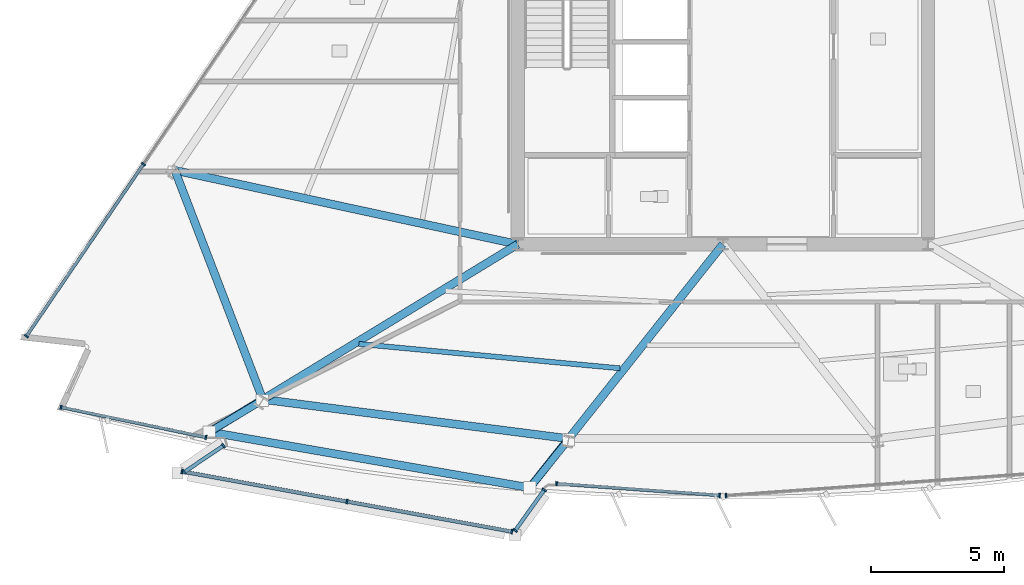
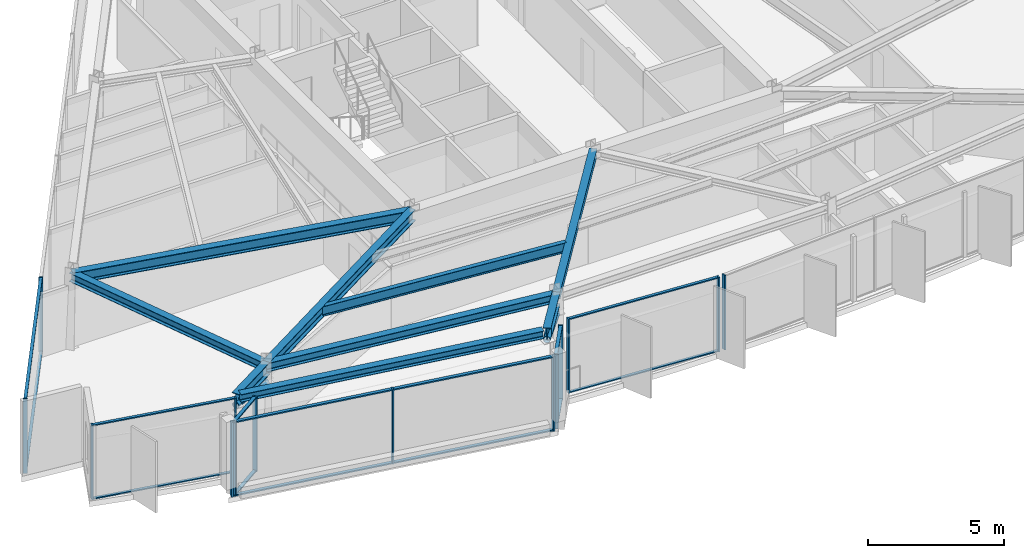
# One storey, part 2 of 14: 30 members, 9 beams, 7 elements without a shape of their own.
"""IFC4 building model written with IfcOpenShell, lengths in metres."""

from ifc_helpers import new_model, si_unit, direction, frame, origin, origin_2d, place, context, subcontext, project, spatial, rectangle, hollow_circle, i_section, extrude, material, material_profile, profile_set, type_object, element, aggregate, save


model = new_model("IFC4")

# Units and contexts
model_context = context("Model", 3, precision=1e-05, world=origin(), true_north=direction((0.0, 1.0)))
body_context = subcontext(model_context, "Body", "Model", "MODEL_VIEW")
ifc_project = project(units=[si_unit("LENGTHUNIT", "METRE"), si_unit("AREAUNIT", "SQUARE_METRE"), si_unit("VOLUMEUNIT", "CUBIC_METRE"), si_unit("PLANEANGLEUNIT", "RADIAN"), si_unit("MASSUNIT", "GRAM", prefix="KILO")], contexts=[model_context])

# Site, building, storey
site_placement = place(None, origin())
site = spatial("IfcSite", under=ifc_project, at=site_placement, CompositionType="ELEMENT")
building_placement = place(site_placement, origin())
building = spatial("IfcBuilding", under=site, at=building_placement, Name="Savorim Split Tower", CompositionType="ELEMENT")
storey_placement = place(building_placement, frame((0.0, 0.0, 178.199951171875)))
storey = spatial("IfcBuildingStorey", under=building, at=storey_placement, Name="L47", CompositionType="ELEMENT", Elevation=178.199951171875)

# Beams
ifc_material_1 = material(Name="Steel S355", Category="steel")
ifc_material_profile_1 = material_profile(ifc_material_1, i_section(OverallWidth=0.18994140625, OverallDepth=0.449951171875, WebThickness=0.009521484375, FlangeThickness=0.0146484375, FilletRadius=0.02099609375, at=origin_2d()), Name="IPE 450")
ifc_profile_set_1 = profile_set([ifc_material_profile_1], Name="Steel S355")
beam_type_1 = type_object("IfcBeamType", Name="BM-JST-IPE450", PredefinedType="JOIST", material=ifc_profile_set_1)
beam_1_placement = place(storey_placement, frame((-13.661865234375, -13.140380859375, 3.125), z_axis=(0.995682361106, -0.092825835748, 0.0), x_axis=(0.092825835748, 0.995682361106, 0.0)))
element("IfcBeam", 1, at=beam_1_placement, inside=storey, type_object=beam_type_1, Name="L47 Secondary Floor Joist JS-01", PredefinedType="JOIST", context=body_context, shape_type="SweptSolid", body=[
    extrude(i_section(OverallWidth=0.18994140625, OverallDepth=0.449951171875, WebThickness=0.009521484375, FlangeThickness=0.0146484375, FilletRadius=0.02099609375, at=origin_2d()), origin(), (0.0, 0.0, 1.0), 9.841796875),
])
ifc_material_profile_2 = material_profile(ifc_material_1, i_section(OverallWidth=0.300048828125, OverallDepth=0.320068359375, WebThickness=0.011474609375, FlangeThickness=0.0205078125, FilletRadius=0.027099609375, at=origin_2d()), Name="HEB 320")
ifc_profile_set_2 = profile_set([ifc_material_profile_2], Name="Steel S355")
beam_type_2 = type_object("IfcBeamType", Name="BM-PRI-HEB320", PredefinedType="BEAM", material=ifc_profile_set_2)
beam_2_placement = place(storey_placement, frame((-5.7861328125, -16.695068359375, 3.18994140625), z_axis=(0.62141524664, 0.783481391766, 0.0), x_axis=(-0.783481391766, 0.62141524664, 0.0)))
element("IfcBeam", 2, at=beam_2_placement, inside=storey, type_object=beam_type_2, Name="L47 Primary Floor Girder RG-02", PredefinedType="BEAM", context=body_context, shape_type="SweptSolid", body=[
    extrude(i_section(OverallWidth=0.300048828125, OverallDepth=0.320068359375, WebThickness=0.011474609375, FlangeThickness=0.0205078125, FilletRadius=0.027099609375, at=origin_2d()), origin(), (0.0, 0.0, 1.0), 9.311279296875),
])
ifc_material_profile_3 = material_profile(ifc_material_1, i_section(OverallWidth=0.300048828125, OverallDepth=0.5, WebThickness=0.014404296875, FlangeThickness=0.028076171875, FilletRadius=0.027099609375, at=origin_2d()), Name="HEB 500")
ifc_profile_set_3 = profile_set([ifc_material_profile_3], Name="Steel S355")
beam_type_3 = type_object("IfcBeamType", Name="BM-PRI-HEB500", PredefinedType="BEAM", material=ifc_profile_set_3)
beam_3_placement = place(storey_placement, frame((-17.264404296875, -15.221435546875, 3.10009765625), z_axis=(0.854210765866, 0.519926886667, 0.0), x_axis=(-0.519926886667, 0.854210765866, 0.0)))
element("IfcBeam", 3, at=beam_3_placement, inside=storey, type_object=beam_type_3, Name="L47 Primary Floor Girder RG-01", PredefinedType="BEAM", context=body_context, shape_type="SweptSolid", body=[
    extrude(i_section(OverallWidth=0.300048828125, OverallDepth=0.5, WebThickness=0.014404296875, FlangeThickness=0.028076171875, FilletRadius=0.027099609375, at=origin_2d()), origin(), (0.0, 0.0, 1.0), 11.19677734375),
])
beam_4_placement = place(storey_placement, frame((-20.566162109375, -6.623779296875, 3.10009765625), z_axis=(0.977504475549, -0.21091467536, 0.0), x_axis=(0.21091467536, 0.977504475549, 0.0)))
element("IfcBeam", 4, at=beam_4_placement, inside=storey, type_object=beam_type_3, Name="L47 Primary Floor Girder RG-10", PredefinedType="BEAM", context=body_context, shape_type="SweptSolid", body=[
    extrude(i_section(OverallWidth=0.300048828125, OverallDepth=0.5, WebThickness=0.014404296875, FlangeThickness=0.028076171875, FilletRadius=0.027099609375, at=origin_2d()), origin(), (0.0, 0.0, 1.0), 13.162353515625),
])
ifc_material_profile_4 = material_profile(ifc_material_1, i_section(OverallWidth=0.300048828125, OverallDepth=0.550048828125, WebThickness=0.014892578125, FlangeThickness=0.029052734375, FilletRadius=0.027099609375, at=origin_2d()), Name="HEB 550")
ifc_profile_set_4 = profile_set([ifc_material_profile_4], Name="Steel S355")
beam_type_4 = type_object("IfcBeamType", Name="BM-PRI-HEB550", PredefinedType="BEAM", material=ifc_profile_set_4)
beam_5_placement = place(storey_placement, frame((-17.264404296875, -15.221435546875, 3.074951171875), z_axis=(-0.854230654183, -0.519894209868, 0.0), x_axis=(0.519894209868, -0.854230654183, 0.0)))
element("IfcBeam", 5, at=beam_5_placement, inside=storey, type_object=beam_type_4, Name="L47 Cantilevered Lounge Rib 1", PredefinedType="BEAM", context=body_context, shape_type="SweptSolid", body=[
    extrude(i_section(OverallWidth=0.300048828125, OverallDepth=0.550048828125, WebThickness=0.014892578125, FlangeThickness=0.029052734375, FilletRadius=0.027099609375, at=origin_2d()), origin(), (0.0, 0.0, 1.0), 2.349853515625),
])
beam_6_placement = place(storey_placement, frame((-5.7861328125, -16.695068359375, 3.074951171875), z_axis=(-0.621471677812, -0.783436630288, 0.0), x_axis=(0.783436630288, -0.621471677812, 0.0)))
element("IfcBeam", 6, at=beam_6_placement, inside=storey, type_object=beam_type_4, Name="L47 Cantilevered Lounge Rib 2", PredefinedType="BEAM", context=body_context, shape_type="SweptSolid", body=[
    extrude(i_section(OverallWidth=0.300048828125, OverallDepth=0.550048828125, WebThickness=0.014892578125, FlangeThickness=0.029052734375, FilletRadius=0.027099609375, at=origin_2d()), origin(), (0.0, 0.0, 1.0), 2.35009765625),
])
ifc_material_profile_5 = material_profile(ifc_material_1, i_section(OverallWidth=0.300048828125, OverallDepth=0.35009765625, WebThickness=0.010009765625, FlangeThickness=0.017578125, FilletRadius=0.027099609375, at=origin_2d()), Name="HEA 360")
ifc_profile_set_5 = profile_set([ifc_material_profile_5], Name="Steel S355")
beam_type_5 = type_object("IfcBeamType", Name="BM-SPN-HEA360", PredefinedType="SPANDREL", material=ifc_profile_set_5)
beam_7_placement = place(storey_placement, frame((-19.1142578125, -16.470703125, 3.175048828125), z_axis=(0.985189434926, -0.171469464656, 0.0), x_axis=(0.171469464656, 0.985189434926, 0.0)))
element("IfcBeam", 7, at=beam_7_placement, inside=storey, type_object=beam_type_5, Name="L47 Cantilevered Lounge Front Edge Beam", PredefinedType="SPANDREL", context=body_context, shape_type="SweptSolid", body=[
    extrude(i_section(OverallWidth=0.300048828125, OverallDepth=0.35009765625, WebThickness=0.010009765625, FlangeThickness=0.017578125, FilletRadius=0.027099609375, at=origin_2d()), origin(), (0.0, 0.0, 1.0), 11.885986328125),
])
ifc_material_profile_6 = material_profile(ifc_material_1, i_section(OverallWidth=0.300048828125, OverallDepth=0.389892578125, WebThickness=0.010986328125, FlangeThickness=0.01904296875, FilletRadius=0.027099609375, at=origin_2d()), Name="HEA 400")
ifc_profile_set_6 = profile_set([ifc_material_profile_6], Name="Steel S355")
beam_type_6 = type_object("IfcBeamType", Name="BM-SPN-HEA400", PredefinedType="SPANDREL", material=ifc_profile_set_6)
beam_8_placement = place(storey_placement, frame((-17.264404296875, -15.221435546875, 3.155029296875), z_axis=(0.991859201628, -0.127339405318, 0.0), x_axis=(0.127339405318, 0.991859201628, 0.0)))
element("IfcBeam", 8, at=beam_8_placement, inside=storey, type_object=beam_type_6, Name="L47 Perimeter Spandrel Beam 1", PredefinedType="SPANDREL", context=body_context, shape_type="SweptSolid", body=[
    extrude(i_section(OverallWidth=0.300048828125, OverallDepth=0.389892578125, WebThickness=0.010986328125, FlangeThickness=0.01904296875, FilletRadius=0.027099609375, at=origin_2d()), origin(), (0.0, 0.0, 1.0), 11.572509765625),
])
beam_9_placement = place(storey_placement, frame((-20.566162109375, -6.623779296875, 3.155029296875), z_axis=(0.358502970069, -0.933528585771, 0.0), x_axis=(0.933528585771, 0.358502970069, 0.0)))
element("IfcBeam", 9, at=beam_9_placement, inside=storey, type_object=beam_type_6, Name="L47 Perimeter Spandrel Beam 10", PredefinedType="SPANDREL", context=body_context, shape_type="SweptSolid", body=[
    extrude(i_section(OverallWidth=0.300048828125, OverallDepth=0.389892578125, WebThickness=0.010986328125, FlangeThickness=0.01904296875, FilletRadius=0.027099609375, at=origin_2d()), origin(), (0.0, 0.0, 1.0), 9.2099609375),
])

# Curtain wall, members
ifc_material_2 = material(Name="Dark Ceramic-Fritted Insulated Glass", Category="glass")
curtain_wall_type_1 = type_object("IfcCurtainWallType", Name="CW-TWR-FRIT-B", PredefinedType="NOTDEFINED", material=ifc_material_2)
curtain_wall_1_placement = place(storey_placement, origin())
curtain_wall_1 = element("IfcCurtainWall", 10, at=curtain_wall_1_placement, inside=storey, type_object=curtain_wall_type_1, Name="L47 Curtain Wall CW-L47-SF1A", PredefinedType="NOTDEFINED")
ifc_material_3 = material(Name="Charcoal Anodised Aluminium", Category="aluminium")
ifc_material_profile_7 = material_profile(ifc_material_3, rectangle(XDim=0.159912109375, YDim=0.06005859375, at=origin_2d()), Name="ALU-M 160x60")
ifc_profile_set_7 = profile_set([ifc_material_profile_7], Name="Charcoal Anodised Aluminium")
member_type_1 = type_object("IfcMemberType", Name="CWM-160x60", PredefinedType="MULLION", material=ifc_profile_set_7)
member_1_placement = place(storey_placement, frame((-24.84033203125, -15.516845703125, 0.0), z_axis=(0.0, 0.0, 1.0), x_axis=(0.203220966883, 0.979132901408, 0.0)))
member_1 = element("IfcMember", 11, at=member_1_placement, type_object=member_type_1, Name="CW-03 mullion 1", PredefinedType="MULLION", context=body_context, shape_type="SweptSolid", body=[
    extrude(rectangle(XDim=0.159912109375, YDim=0.06005859375, at=origin_2d()), origin(), (0.0, 0.0, 1.0), 3.35009765625),
])
member_2_placement = place(storey_placement, frame((-19.401123046875, -16.645751953125, 0.0), z_axis=(0.0, 0.0, 1.0), x_axis=(0.203220966883, 0.979132901408, 0.0)))
member_2 = element("IfcMember", 12, at=member_2_placement, type_object=member_type_1, Name="CW-03 mullion 2", PredefinedType="MULLION", context=body_context, shape_type="SweptSolid", body=[
    extrude(rectangle(XDim=0.159912109375, YDim=0.06005859375, at=origin_2d()), origin(), (0.0, 0.0, 1.0), 3.35009765625),
])

curtain_wall_2_placement = place(storey_placement, origin())
curtain_wall_2 = element("IfcCurtainWall", 13, at=curtain_wall_2_placement, inside=storey, type_object=curtain_wall_type_1, Name="L47 Curtain Wall CW-L47-SF2A", PredefinedType="NOTDEFINED")
member_3_placement = place(storey_placement, frame((-6.239990234375, -18.384033203125, 0.0), z_axis=(0.0, 0.0, 1.0), x_axis=(0.07156138189, 0.99743619777, 0.0)))
member_3 = element("IfcMember", 14, at=member_3_placement, type_object=member_type_1, Name="CW-03 mullion 1", PredefinedType="MULLION", context=body_context, shape_type="SweptSolid", body=[
    extrude(rectangle(XDim=0.159912109375, YDim=0.06005859375, at=origin_2d()), origin(), (0.0, 0.0, 1.0), 3.35009765625),
])
member_4_placement = place(storey_placement, frame((-0.12109375, -18.822998046875, 0.0), z_axis=(0.0, 0.0, 1.0), x_axis=(0.07156138189, 0.99743619777, 0.0)))
member_4 = element("IfcMember", 15, at=member_4_placement, type_object=member_type_1, Name="CW-03 mullion 2", PredefinedType="MULLION", context=body_context, shape_type="SweptSolid", body=[
    extrude(rectangle(XDim=0.159912109375, YDim=0.06005859375, at=origin_2d()), origin(), (0.0, 0.0, 1.0), 3.35009765625),
])

# Curtain wall, member
curtain_wall_3_placement = place(storey_placement, origin())
curtain_wall_3 = element("IfcCurtainWall", 16, at=curtain_wall_3_placement, inside=storey, type_object=curtain_wall_type_1, Name="L47 Curtain Wall CW-L47-SF3A", PredefinedType="NOTDEFINED")
member_5_placement = place(storey_placement, frame((0.12109375, -18.822998046875, 0.0), z_axis=(0.0, 0.0, 1.0), x_axis=(-0.07155928658, 0.997436348097, 0.0)))
member_5 = element("IfcMember", 17, at=member_5_placement, type_object=member_type_1, Name="CW-03 mullion 1", PredefinedType="MULLION", context=body_context, shape_type="SweptSolid", body=[
    extrude(rectangle(XDim=0.159912109375, YDim=0.06005859375, at=origin_2d()), origin(), (0.0, 0.0, 1.0), 3.35009765625),
])
aggregate(curtain_wall_3, [member_5])

# Curtain wall, members
curtain_wall_4_placement = place(storey_placement, origin())
curtain_wall_4 = element("IfcCurtainWall", 18, at=curtain_wall_4_placement, inside=storey, type_object=curtain_wall_type_1, Name="L47 Curtain Wall CW-L47-WEST", PredefinedType="NOTDEFINED")
member_6_placement = place(storey_placement, frame((-21.74560546875, -6.392333984375, 0.0), z_axis=(0.0, 0.0, 1.0), x_axis=(0.826819248854, -0.562467714384, 0.0)))
member_6 = element("IfcMember", 19, at=member_6_placement, type_object=member_type_1, Name="CW-03 mullion 4", PredefinedType="MULLION", context=body_context, shape_type="SweptSolid", body=[
    extrude(rectangle(XDim=0.159912109375, YDim=0.06005859375, at=origin_2d()), origin(), (0.0, 0.0, 1.0), 3.35009765625),
])
member_7_placement = place(storey_placement, frame((-26.13818359375, -12.849365234375, 0.0), z_axis=(0.0, 0.0, 1.0), x_axis=(0.826819248854, -0.562467714384, 0.0)))
member_7 = element("IfcMember", 20, at=member_7_placement, type_object=member_type_1, Name="CW-03 mullion 5", PredefinedType="MULLION", context=body_context, shape_type="SweptSolid", body=[
    extrude(rectangle(XDim=0.159912109375, YDim=0.06005859375, at=origin_2d()), origin(), (0.0, 0.0, 1.0), 3.35009765625),
])

curtain_wall_type_2 = type_object("IfcCurtainWallType", Name="CW-BAY-LOUNGE", PredefinedType="NOTDEFINED", material=ifc_material_2)
curtain_wall_5_placement = place(storey_placement, origin())
curtain_wall_5 = element("IfcCurtainWall", 21, at=curtain_wall_5_placement, inside=storey, type_object=curtain_wall_type_2, Name="L47 Curtain Wall CW-L47-BAYF", PredefinedType="NOTDEFINED")
ifc_material_profile_8 = material_profile(ifc_material_3, rectangle(XDim=0.179931640625, YDim=0.06494140625, at=origin_2d()), Name="ALU-M 180x65")
ifc_profile_set_8 = profile_set([ifc_material_profile_8], Name="Charcoal Anodised Aluminium")
member_type_2 = type_object("IfcMemberType", Name="CWM-180x65", PredefinedType="MULLION", material=ifc_profile_set_8)
member_8_placement = place(storey_placement, frame((-20.294677734375, -17.925048828125, 0.0), z_axis=(0.0, 0.0, 1.0), x_axis=(0.17951808442, 0.983754673364, 0.0)))
member_8 = element("IfcMember", 22, at=member_8_placement, type_object=member_type_2, Name="CW-04 mullion 1", PredefinedType="MULLION", context=body_context, shape_type="SweptSolid", body=[
    extrude(rectangle(XDim=0.179931640625, YDim=0.06494140625, at=origin_2d()), origin(), (0.0, 0.0, 1.0), 3.35009765625),
])
member_9_placement = place(storey_placement, frame((-14.107666015625, -19.053955078125, 0.0), z_axis=(0.0, 0.0, 1.0), x_axis=(0.17951808442, 0.983754673364, 0.0)))
member_9 = element("IfcMember", 23, at=member_9_placement, type_object=member_type_2, Name="CW-04 mullion 2", PredefinedType="MULLION", context=body_context, shape_type="SweptSolid", body=[
    extrude(rectangle(XDim=0.179931640625, YDim=0.06494140625, at=origin_2d()), origin(), (0.0, 0.0, 1.0), 3.35009765625),
])
member_10_placement = place(storey_placement, frame((-7.920654296875, -20.182861328125, 0.0), z_axis=(0.0, 0.0, 1.0), x_axis=(0.17951808442, 0.983754673364, 0.0)))
member_10 = element("IfcMember", 24, at=member_10_placement, type_object=member_type_2, Name="CW-04 mullion 3", PredefinedType="MULLION", context=body_context, shape_type="SweptSolid", body=[
    extrude(rectangle(XDim=0.179931640625, YDim=0.06494140625, at=origin_2d()), origin(), (0.0, 0.0, 1.0), 3.35009765625),
])

curtain_wall_6_placement = place(storey_placement, origin())
curtain_wall_6 = element("IfcCurtainWall", 25, at=curtain_wall_6_placement, inside=storey, type_object=curtain_wall_type_2, Name="L47 Curtain Wall CW-L47-BAYW", PredefinedType="NOTDEFINED")
member_11_placement = place(storey_placement, frame((-18.74169921875, -16.957275390625, 0.0), z_axis=(0.0, 0.0, 1.0), x_axis=(0.558630218743, -0.829416830494, 0.0)))
member_11 = element("IfcMember", 26, at=member_11_placement, type_object=member_type_2, Name="CW-04 mullion 1", PredefinedType="MULLION", context=body_context, shape_type="SweptSolid", body=[
    extrude(rectangle(XDim=0.179931640625, YDim=0.06494140625, at=origin_2d()), origin(), (0.0, 0.0, 1.0), 3.35009765625),
])
member_12_placement = place(storey_placement, frame((-20.209716796875, -17.946044921875, 0.0), z_axis=(0.0, 0.0, 1.0), x_axis=(0.558630218743, -0.829416830494, 0.0)))
member_12 = element("IfcMember", 27, at=member_12_placement, type_object=member_type_2, Name="CW-04 mullion 2", PredefinedType="MULLION", context=body_context, shape_type="SweptSolid", body=[
    extrude(rectangle(XDim=0.179931640625, YDim=0.06494140625, at=origin_2d()), origin(), (0.0, 0.0, 1.0), 3.35009765625),
])

curtain_wall_7_placement = place(storey_placement, origin())
curtain_wall_7 = element("IfcCurtainWall", 28, at=curtain_wall_7_placement, inside=storey, type_object=curtain_wall_type_2, Name="L47 Curtain Wall CW-L47-BAYE", PredefinedType="NOTDEFINED")
member_13_placement = place(storey_placement, frame((-7.79296875, -20.142822265625, 0.0), z_axis=(0.0, 0.0, 1.0), x_axis=(-0.813834464468, 0.581096777176, 0.0)))
member_13 = element("IfcMember", 29, at=member_13_placement, type_object=member_type_2, Name="CW-04 mullion 1", PredefinedType="MULLION", context=body_context, shape_type="SweptSolid", body=[
    extrude(rectangle(XDim=0.179931640625, YDim=0.06494140625, at=origin_2d()), origin(), (0.0, 0.0, 1.0), 3.35009765625),
])
member_14_placement = place(storey_placement, frame((-6.703369140625, -18.616943359375, 0.0), z_axis=(0.0, 0.0, 1.0), x_axis=(-0.813834464468, 0.581096777176, 0.0)))
member_14 = element("IfcMember", 30, at=member_14_placement, type_object=member_type_2, Name="CW-04 mullion 2", PredefinedType="MULLION", context=body_context, shape_type="SweptSolid", body=[
    extrude(rectangle(XDim=0.179931640625, YDim=0.06494140625, at=origin_2d()), origin(), (0.0, 0.0, 1.0), 3.35009765625),
])

# Member
ifc_material_profile_9 = material_profile(ifc_material_3, rectangle(XDim=0.1201171875, YDim=0.050048828125, at=origin_2d()), Name="ALU-T 120x50")
ifc_profile_set_9 = profile_set([ifc_material_profile_9], Name="Charcoal Anodised Aluminium")
member_type_3 = type_object("IfcMemberType", Name="CWT-120x50", PredefinedType="USERDEFINED", material=ifc_profile_set_9)
member_15_placement = place(storey_placement, frame((-24.81103515625, -15.52294921875, 0.025146484375), z_axis=(0.979133170264, -0.203219671512, 0.0), x_axis=(0.203219671512, 0.979133170264, 0.0)))
member_15 = element("IfcMember", 31, at=member_15_placement, type_object=member_type_3, Name="CW-03 transom 1.1", ObjectType="TRANSOM", PredefinedType="USERDEFINED", context=body_context, shape_type="SweptSolid", body=[
    extrude(rectangle(XDim=0.1201171875, YDim=0.050048828125, at=origin_2d()), origin(), (0.0, 0.0, 1.0), 5.4951171875),
])

member_16_placement = place(storey_placement, frame((-24.81103515625, -15.52294921875, 3.324951171875), z_axis=(0.979133170264, -0.203219671512, 0.0), x_axis=(0.203219671512, 0.979133170264, 0.0)))
member_16 = element("IfcMember", 32, at=member_16_placement, type_object=member_type_3, Name="CW-03 transom 1.2", ObjectType="TRANSOM", PredefinedType="USERDEFINED", context=body_context, shape_type="SweptSolid", body=[
    extrude(rectangle(XDim=0.1201171875, YDim=0.050048828125, at=origin_2d()), origin(), (0.0, 0.0, 1.0), 5.4951171875),
])

aggregate(curtain_wall_1, [member_1, member_2, member_15, member_16])

member_17_placement = place(storey_placement, frame((-6.210205078125, -18.38623046875, 0.025146484375), z_axis=(0.997437848201, -0.071538374156, 0.0), x_axis=(0.071538374156, 0.997437848201, 0.0)))
member_17 = element("IfcMember", 33, at=member_17_placement, type_object=member_type_3, Name="CW-03 transom 1.1", ObjectType="TRANSOM", PredefinedType="USERDEFINED", context=body_context, shape_type="SweptSolid", body=[
    extrude(rectangle(XDim=0.1201171875, YDim=0.050048828125, at=origin_2d()), origin(), (0.0, 0.0, 1.0), 6.07470703125),
])

member_18_placement = place(storey_placement, frame((-6.210205078125, -18.38623046875, 3.324951171875), z_axis=(0.997437848201, -0.071538374156, 0.0), x_axis=(0.071538374156, 0.997437848201, 0.0)))
member_18 = element("IfcMember", 34, at=member_18_placement, type_object=member_type_3, Name="CW-03 transom 1.2", ObjectType="TRANSOM", PredefinedType="USERDEFINED", context=body_context, shape_type="SweptSolid", body=[
    extrude(rectangle(XDim=0.1201171875, YDim=0.050048828125, at=origin_2d()), origin(), (0.0, 0.0, 1.0), 6.07470703125),
])

aggregate(curtain_wall_2, [member_3, member_4, member_17, member_18])

member_19_placement = place(storey_placement, frame((-21.762451171875, -6.4169921875, 0.025146484375), z_axis=(-0.56245477499, -0.826828051103, 0.0), x_axis=(0.826828051103, -0.56245477499, 0.0)))
member_19 = element("IfcMember", 35, at=member_19_placement, type_object=member_type_3, Name="CW-03 transom 4.1", ObjectType="TRANSOM", PredefinedType="USERDEFINED", context=body_context, shape_type="SweptSolid", body=[
    extrude(rectangle(XDim=0.1201171875, YDim=0.050048828125, at=origin_2d()), origin(), (0.0, 0.0, 1.0), 7.749755859375),
])

member_20_placement = place(storey_placement, frame((-21.762451171875, -6.4169921875, 3.324951171875), z_axis=(-0.56245477499, -0.826828051103, 0.0), x_axis=(0.826828051103, -0.56245477499, 0.0)))
member_20 = element("IfcMember", 36, at=member_20_placement, type_object=member_type_3, Name="CW-03 transom 4.2", ObjectType="TRANSOM", PredefinedType="USERDEFINED", context=body_context, shape_type="SweptSolid", body=[
    extrude(rectangle(XDim=0.1201171875, YDim=0.050048828125, at=origin_2d()), origin(), (0.0, 0.0, 1.0), 7.749755859375),
])

aggregate(curtain_wall_4, [member_6, member_7, member_19, member_20])

ifc_material_profile_10 = material_profile(ifc_material_3, rectangle(XDim=0.139892578125, YDim=0.054931640625, at=origin_2d()), Name="ALU-T 140x55")
ifc_profile_set_10 = profile_set([ifc_material_profile_10], Name="Charcoal Anodised Aluminium")
member_type_4 = type_object("IfcMemberType", Name="CWT-140x55", PredefinedType="USERDEFINED", material=ifc_profile_set_10)
member_21_placement = place(storey_placement, frame((-20.2626953125, -17.9306640625, 0.027587890625), z_axis=(0.983752338434, -0.179530879307, 0.0), x_axis=(0.179530879307, 0.983752338434, 0.0)))
member_21 = element("IfcMember", 37, at=member_21_placement, type_object=member_type_4, Name="CW-04 transom 1.1", ObjectType="TRANSOM", PredefinedType="USERDEFINED", context=body_context, shape_type="SweptSolid", body=[
    extrude(rectangle(XDim=0.139892578125, YDim=0.054931640625, at=origin_2d()), origin(), (0.0, 0.0, 1.0), 6.22412109375),
])

member_22_placement = place(storey_placement, frame((-20.2626953125, -17.9306640625, 3.322509765625), z_axis=(0.983752338434, -0.179530879307, 0.0), x_axis=(0.179530879307, 0.983752338434, 0.0)))
member_22 = element("IfcMember", 38, at=member_22_placement, type_object=member_type_4, Name="CW-04 transom 1.2", ObjectType="TRANSOM", PredefinedType="USERDEFINED", context=body_context, shape_type="SweptSolid", body=[
    extrude(rectangle(XDim=0.139892578125, YDim=0.054931640625, at=origin_2d()), origin(), (0.0, 0.0, 1.0), 6.22412109375),
])

member_23_placement = place(storey_placement, frame((-14.07568359375, -19.059814453125, 0.027587890625), z_axis=(0.983752338434, -0.179530879307, 0.0), x_axis=(0.179530879307, 0.983752338434, 0.0)))
member_23 = element("IfcMember", 39, at=member_23_placement, type_object=member_type_4, Name="CW-04 transom 2.1", ObjectType="TRANSOM", PredefinedType="USERDEFINED", context=body_context, shape_type="SweptSolid", body=[
    extrude(rectangle(XDim=0.139892578125, YDim=0.054931640625, at=origin_2d()), origin(), (0.0, 0.0, 1.0), 6.22412109375),
])

member_24_placement = place(storey_placement, frame((-14.07568359375, -19.059814453125, 3.322509765625), z_axis=(0.983752338434, -0.179530879307, 0.0), x_axis=(0.179530879307, 0.983752338434, 0.0)))
member_24 = element("IfcMember", 40, at=member_24_placement, type_object=member_type_4, Name="CW-04 transom 2.2", ObjectType="TRANSOM", PredefinedType="USERDEFINED", context=body_context, shape_type="SweptSolid", body=[
    extrude(rectangle(XDim=0.139892578125, YDim=0.054931640625, at=origin_2d()), origin(), (0.0, 0.0, 1.0), 6.22412109375),
])

aggregate(curtain_wall_5, [member_8, member_9, member_10, member_21, member_22, member_23, member_24])

member_25_placement = place(storey_placement, frame((-18.7685546875, -16.9755859375, 0.027587890625), z_axis=(-0.829464003878, -0.558560172471, 0.0), x_axis=(0.558560172471, -0.829464003878, 0.0)))
member_25 = element("IfcMember", 41, at=member_25_placement, type_object=member_type_4, Name="CW-04 transom 1.1", ObjectType="TRANSOM", PredefinedType="USERDEFINED", context=body_context, shape_type="SweptSolid", body=[
    extrude(rectangle(XDim=0.139892578125, YDim=0.054931640625, at=origin_2d()), origin(), (0.0, 0.0, 1.0), 1.705078125),
])

member_26_placement = place(storey_placement, frame((-18.7685546875, -16.9755859375, 3.322509765625), z_axis=(-0.829464003878, -0.558560172471, 0.0), x_axis=(0.558560172471, -0.829464003878, 0.0)))
member_26 = element("IfcMember", 42, at=member_26_placement, type_object=member_type_4, Name="CW-04 transom 1.2", ObjectType="TRANSOM", PredefinedType="USERDEFINED", context=body_context, shape_type="SweptSolid", body=[
    extrude(rectangle(XDim=0.139892578125, YDim=0.054931640625, at=origin_2d()), origin(), (0.0, 0.0, 1.0), 1.705078125),
])

aggregate(curtain_wall_6, [member_11, member_12, member_25, member_26])

member_27_placement = place(storey_placement, frame((-7.774169921875, -20.1162109375, 0.027587890625), z_axis=(0.581123345743, 0.813815493237, 0.0), x_axis=(-0.813815493237, 0.581123345743, 0.0)))
member_27 = element("IfcMember", 43, at=member_27_placement, type_object=member_type_4, Name="CW-04 transom 1.1", ObjectType="TRANSOM", PredefinedType="USERDEFINED", context=body_context, shape_type="SweptSolid", body=[
    extrude(rectangle(XDim=0.139892578125, YDim=0.054931640625, at=origin_2d()), origin(), (0.0, 0.0, 1.0), 1.809814453125),
])

member_28_placement = place(storey_placement, frame((-7.774169921875, -20.1162109375, 3.322509765625), z_axis=(0.581123345743, 0.813815493237, 0.0), x_axis=(-0.813815493237, 0.581123345743, 0.0)))
member_28 = element("IfcMember", 44, at=member_28_placement, type_object=member_type_4, Name="CW-04 transom 1.2", ObjectType="TRANSOM", PredefinedType="USERDEFINED", context=body_context, shape_type="SweptSolid", body=[
    extrude(rectangle(XDim=0.139892578125, YDim=0.054931640625, at=origin_2d()), origin(), (0.0, 0.0, 1.0), 1.809814453125),
])

aggregate(curtain_wall_7, [member_13, member_14, member_27, member_28])

# Members
ifc_material_profile_11 = material_profile(ifc_material_1, hollow_circle(Radius=0.136474609375, WallThickness=0.01611328125, at=origin_2d()), Name="CHS 273x16")
ifc_profile_set_11 = profile_set([ifc_material_profile_11], Name="Steel S355")
member_type_5 = type_object("IfcMemberType", Name="MBR-CRN-CHS273", PredefinedType="BRACE", material=ifc_profile_set_11)
member_29_placement = place(storey_placement, frame((-17.2880859375, -15.259765625, 2.449951171875), z_axis=(-0.847978391783, -0.505864771073, 0.158219722085), x_axis=(0.512317964388, -0.858795844986, 0.0)))
element("IfcMember", 45, at=member_29_placement, inside=storey, type_object=member_type_5, Name="L47 Cantilevered Bay Support Strut 1", PredefinedType="BRACE", context=body_context, shape_type="SweptSolid", body=[
    extrude(hollow_circle(Radius=0.136474609375, WallThickness=0.01611328125, at=origin_2d()), origin(), (0.0, 0.0, 1.0), 2.33935546875),
])
member_30_placement = place(storey_placement, frame((-5.794189453125, -16.735595703125, 2.449951171875), z_axis=(-0.619958380624, -0.768564978501, 0.15798569592), x_axis=(0.778339836601, -0.627843211924, 0.0)))
element("IfcMember", 46, at=member_30_placement, inside=storey, type_object=member_type_5, Name="L47 Cantilevered Bay Support Strut 2", PredefinedType="BRACE", context=body_context, shape_type="SweptSolid", body=[
    extrude(hollow_circle(Radius=0.136474609375, WallThickness=0.01611328125, at=origin_2d()), origin(), (0.0, 0.0, 1.0), 2.3427734375),
])

save(model, "model.ifc")
